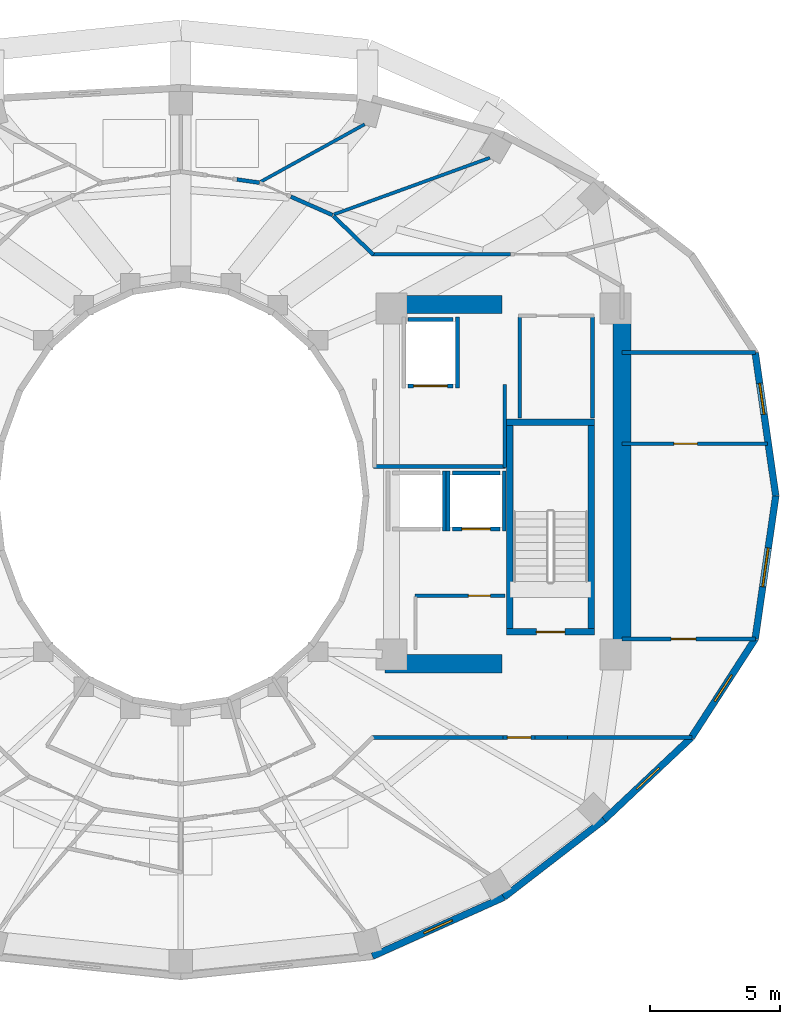
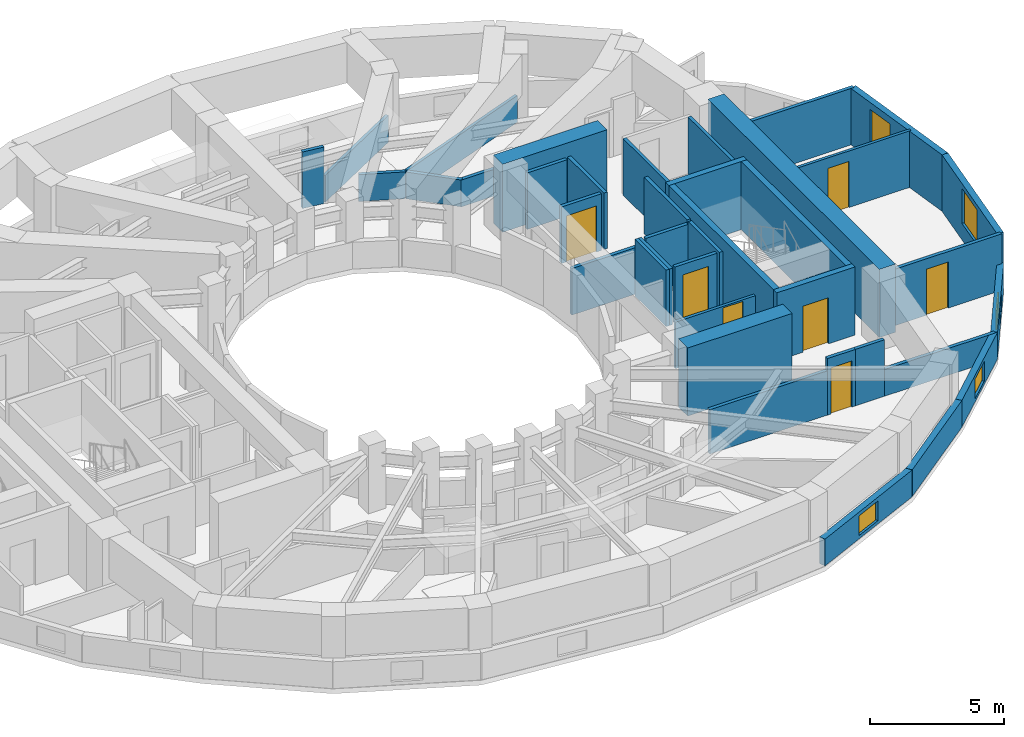
# One storey, part 6 of 9: 39 walls, 7 doors, 5 windows, 12 openings.
"""IFC4 building model written with IfcOpenShell, lengths in metres."""

from ifc_helpers import new_model, si_unit, direction, frame, frame_2d, origin, place, context, subcontext, project, spatial, rectangle, extrude, material, layer, layer_set, type_object, element, fill, save


model = new_model("IFC4")

# Units and contexts
model_context = context("Model", 3, precision=1e-05, world=origin(), true_north=direction((0.0, 1.0)))
body_context = subcontext(model_context, "Body", "Model", "MODEL_VIEW")
ifc_project = project(units=[si_unit("LENGTHUNIT", "METRE"), si_unit("AREAUNIT", "SQUARE_METRE"), si_unit("VOLUMEUNIT", "CUBIC_METRE"), si_unit("PLANEANGLEUNIT", "RADIAN"), si_unit("MASSUNIT", "GRAM", prefix="KILO")], contexts=[model_context])

# Site, building, storey
site_placement = place(None, origin())
site = spatial("IfcSite", under=ifc_project, at=site_placement, CompositionType="ELEMENT")
building_placement = place(site_placement, origin())
building = spatial("IfcBuilding", under=site, at=building_placement, Name="Solvane Sanctuary Tower", CompositionType="ELEMENT")
storey_placement = place(building_placement, frame((0.0, 0.0, 140.5)))
storey = spatial("IfcBuildingStorey", under=building, at=storey_placement, Name="L42", CompositionType="ELEMENT", Elevation=140.5)

# Walls
ifc_material_1 = material(Name="Concrete C60/75", Category="concrete")
ifc_layer_1 = layer(ifc_material_1, 0.699951171875, Name="Concrete C60/75")
ifc_layer_set_1 = layer_set([ifc_layer_1], Name="Concrete C60/75")
wall_type_1 = type_object("IfcWallType", Name="Wall W-CORE-700", PredefinedType="SHEAR", material=ifc_layer_set_1)
wall_1_placement = place(storey_placement, frame((48.949951171875, 17.050048828125, 0.0), z_axis=(0.0, 0.0, 1.0), x_axis=(0.0, 1.0, 0.0)))
element("IfcWall", 1, at=wall_1_placement, inside=storey, type_object=wall_type_1, Name="L42 Core Shear Wall EC-E", PredefinedType="SHEAR", context=body_context, shape_type="SweptSolid", body=[
    extrude(rectangle(XDim=12.800048828125, YDim=0.699951171875, at=frame_2d((6.39990234375, 0.0))), origin(), (0.0, 0.0, 1.0), 3.10009765625),
])
for number, where, z_axis, x_axis, name in (
    (2, (39.85009765625, 16.550048828125, 0.0), (0.0, 0.0, 1.0), (1.0, 0.0, 0.0), "L42 Core Shear Wall EC-S"),
    (3, (39.85009765625, 30.35009765625, 0.0), (0.0, 0.0, 1.0), (1.0, 0.0, 0.0), "L42 Core Shear Wall EC-N"),
):
    element("IfcWall", number, at=place(storey_placement, frame(where, z_axis=z_axis, x_axis=x_axis)), inside=storey, type_object=wall_type_1, Name=name, PredefinedType="SHEAR", context=body_context, shape_type="SweptSolid", body=[
        extrude(rectangle(XDim=4.5, YDim=0.699951171875, at=frame_2d((2.25, 0.0))), origin(), (0.0, 0.0, 1.0), 3.10009765625),
    ])
ifc_material_2 = material(Name="Acoustic Gypsum Partition Board")
ifc_layer_2 = layer(ifc_material_2, 0.14990234375, Name="Acoustic Gypsum Partition Board")
ifc_layer_set_2 = layer_set([ifc_layer_2], Name="Acoustic Gypsum Partition Board")
wall_type_2 = type_object("IfcWallType", Name="Wall W-CORR-150", PredefinedType="PARTITIONING", material=ifc_layer_set_2)
wall_2_placement = place(storey_placement, frame((39.39990234375, 24.1201171875, 0.0), z_axis=(0.0, 0.0, 1.0), x_axis=(1.0, 0.0, 0.0)))
element("IfcWall", 4, at=wall_2_placement, inside=storey, type_object=wall_type_2, Name="L42 East Firefighting Lobby South Wall", PredefinedType="PARTITIONING", context=body_context, shape_type="SweptSolid", body=[
    extrude(rectangle(XDim=5.080078125, YDim=0.14990234375, at=frame_2d((2.5400390625, 0.0))), origin(), (0.0, 0.0, 1.0), 2.1201171875),
])
wall_3_placement = place(storey_placement, frame((44.449951171875, 24.080078125, 0.0), z_axis=(0.0, 0.0, 1.0), x_axis=(0.0, 1.0, 0.0)))
element("IfcWall", 5, at=wall_3_placement, inside=storey, type_object=wall_type_2, Name="L42 East Firefighting Lobby East Wall", PredefinedType="PARTITIONING", context=body_context, shape_type="SweptSolid", body=[
    extrude(rectangle(XDim=3.199951171875, YDim=0.14990234375, at=frame_2d((1.60009765625, 0.0))), origin(), (0.0, 0.0, 1.0), 2.574951171875),
])

# Wall, opening, door
wall_4_placement = place(storey_placement, frame((48.949951171875, 17.4970703125, 0.0), z_axis=(0.0, 0.0, 1.0), x_axis=(1.0, 0.0, 0.0)))
wall_4 = element("IfcWall", 6, at=wall_4_placement, inside=storey, type_object=wall_type_2, Name="L42 East Shoulder South Wall", PredefinedType="PARTITIONING", context=body_context, shape_type="SweptSolid", body=[
    extrude(rectangle(XDim=5.14013671875, YDim=0.14990234375, at=frame_2d((2.570068359375, 0.0))), origin(), (0.0, 0.0, 1.0), 2.574951171875),
])
opening_1_placement = place(wall_4_placement, frame((1.888671875, 0.0, 0.0)))
opening_1 = element("IfcOpeningElement", 7, at=opening_1_placement, cuts=wall_4, Name="Opening D-L42-10", PredefinedType="OPENING", context=body_context, shape_type="SweptSolid", body=[
    extrude(rectangle(XDim=0.949951171875, YDim=2.10009765625, at=frame_2d((0.47509765625, 1.050048828125))), frame((0.0, 0.0849609375, 0.0), z_axis=(0.0, -1.0, 0.0), x_axis=(1.0, 0.0, 0.0)), (0.0, 0.0, 1.0), 0.169921875),
])
ifc_material_3 = material(Name="Engineered Tropical Hardwood", Category="wood")
door_type_1 = type_object("IfcDoorType", Name="Door D-ROOM-950", OperationType="NOTDEFINED", PredefinedType="DOOR", material=ifc_material_3)
door_1_placement = place(opening_1_placement, origin())
door_1 = element("IfcDoor", 8, at=door_1_placement, inside=storey, type_object=door_type_1, Name="L42 East Shoulder South Door", OperationType="SINGLE_SWING_RIGHT", OverallHeight=2.10009765625, OverallWidth=0.949951171875, PredefinedType="DOOR", context=body_context, shape_type="SweptSolid", body=[
    extrude(rectangle(XDim=0.949951171875, YDim=2.10009765625, at=frame_2d((0.47509765625, 1.050048828125))), frame((0.0, 0.02490234375, 0.0), z_axis=(0.0, -1.0, 0.0), x_axis=(1.0, 0.0, 0.0)), (0.0, 0.0, 1.0), 0.050048828125),
])
fill(opening_1, door_1)

# Walls
wall_5_placement = place(storey_placement, frame((48.949951171875, 28.5029296875, 0.0), z_axis=(0.0, 0.0, 1.0), x_axis=(1.0, 0.0, 0.0)))
element("IfcWall", 9, at=wall_5_placement, inside=storey, type_object=wall_type_2, Name="L42 East Shoulder North Wall", PredefinedType="PARTITIONING", context=body_context, shape_type="SweptSolid", body=[
    extrude(rectangle(XDim=5.14013671875, YDim=0.14990234375, at=frame_2d((2.570068359375, 0.0))), origin(), (0.0, 0.0, 1.0), 2.574951171875),
])
wall_6_placement = place(storey_placement, frame((37.867431640625, 33.748779296875, 0.0), z_axis=(0.0, 0.0, 1.0), x_axis=(0.717419568599, -0.696641344302, 0.0)))
element("IfcWall", 10, at=wall_6_placement, inside=storey, type_object=wall_type_2, Name="L42 NE Corner Throat Wall", PredefinedType="PARTITIONING", context=body_context, shape_type="SweptSolid", body=[
    extrude(rectangle(XDim=2.138427734375, YDim=0.14990234375, at=frame_2d((1.0693359375, 0.0))), origin(), (0.0, 0.0, 1.0), 1.219970703125),
])
wall_7_placement = place(storey_placement, frame((39.330078125, 32.280029296875, 0.0), z_axis=(0.0, 0.0, 1.0), x_axis=(1.0, 0.0, 0.0)))
element("IfcWall", 11, at=wall_7_placement, inside=storey, type_object=wall_type_2, Name="L42 NE Corner Corridor Wall", PredefinedType="PARTITIONING", context=body_context, shape_type="SweptSolid", body=[
    extrude(rectangle(XDim=5.335693359375, YDim=0.14990234375, at=frame_2d((2.66796875, 0.0))), origin(), (0.0, 0.0, 1.0), 1.219970703125),
])
wall_8_placement = place(storey_placement, frame((39.330078125, 13.719970703125, 0.0), z_axis=(0.0, 0.0, 1.0), x_axis=(1.0, 0.0, 0.0)))
element("IfcWall", 12, at=wall_8_placement, inside=storey, type_object=wall_type_2, Name="L42 SE Corner Corridor Wall", PredefinedType="PARTITIONING", context=body_context, shape_type="SweptSolid", body=[
    extrude(rectangle(XDim=5.059814453125, YDim=0.14990234375, at=frame_2d((2.52978515625, 0.0))), origin(), (0.0, 0.0, 1.0), 2.01904296875),
])

# Wall, opening, door
wall_9_placement = place(storey_placement, frame((44.389892578125, 13.719970703125, 0.0), z_axis=(0.0, 0.0, 1.0), x_axis=(1.0, 0.0, 0.0)))
wall_9 = element("IfcWall", 13, at=wall_9_placement, inside=storey, type_object=wall_type_2, Name="L42 SE Corner Corridor Wall", PredefinedType="PARTITIONING", context=body_context, shape_type="SweptSolid", body=[
    extrude(rectangle(XDim=1.22021484375, YDim=0.14990234375, at=frame_2d((0.610107421875, 0.0))), origin(), (0.0, 0.0, 1.0), 2.574951171875),
])
opening_2_placement = place(wall_9_placement, frame((0.159912109375, 0.0, 0.0)))
opening_2 = element("IfcOpeningElement", 14, at=opening_2_placement, cuts=wall_9, Name="Opening D-L42-19", PredefinedType="OPENING", context=body_context, shape_type="SweptSolid", body=[
    extrude(rectangle(XDim=0.89990234375, YDim=2.10009765625, at=frame_2d((0.449951171875, 1.050048828125))), frame((0.0, 0.0849609375, 0.0), z_axis=(0.0, -1.0, 0.0), x_axis=(1.0, 0.0, 0.0)), (0.0, 0.0, 1.0), 0.169921875),
])
door_type_2 = type_object("IfcDoorType", Name="Door D-WET-900", OperationType="NOTDEFINED", PredefinedType="DOOR", material=ifc_material_3)
door_2_placement = place(opening_2_placement, origin())
door_2 = element("IfcDoor", 15, at=door_2_placement, inside=storey, type_object=door_type_2, Name="L42 SE Corner Salon Door", OperationType="SINGLE_SWING_LEFT", OverallHeight=2.10009765625, OverallWidth=0.89990234375, PredefinedType="DOOR", context=body_context, shape_type="SweptSolid", body=[
    extrude(rectangle(XDim=0.89990234375, YDim=2.10009765625, at=frame_2d((0.449951171875, 1.050048828125))), frame((0.0, 0.02490234375, 0.0), z_axis=(0.0, -1.0, 0.0), x_axis=(1.0, 0.0, 0.0)), (0.0, 0.0, 1.0), 0.050048828125),
])
fill(opening_2, door_2)

# Walls
wall_10_placement = place(storey_placement, frame((45.610107421875, 13.719970703125, 0.0), z_axis=(0.0, 0.0, 1.0), x_axis=(1.0, 0.0, 0.0)))
element("IfcWall", 16, at=wall_10_placement, inside=storey, type_object=wall_type_2, Name="L42 SE Corner Corridor Wall", PredefinedType="PARTITIONING", context=body_context, shape_type="SweptSolid", body=[
    extrude(rectangle(XDim=1.239990234375, YDim=0.14990234375, at=frame_2d((0.6201171875, 0.0))), origin(), (0.0, 0.0, 1.0), 2.574951171875),
])
wall_11_placement = place(storey_placement, frame((46.75, 13.72021484375, 0.0), z_axis=(0.0, 0.0, 1.0), x_axis=(0.999997122315, -0.00239903348, 0.0)))
element("IfcWall", 17, at=wall_11_placement, inside=storey, type_object=wall_type_2, Name="L42 SE Corner Wing Wall", PredefinedType="PARTITIONING", context=body_context, shape_type="SweptSolid", body=[
    extrude(rectangle(XDim=4.884765625, YDim=0.14990234375, at=frame_2d((2.4423828125, 0.0))), origin(), (0.0, 0.0, 1.0), 1.219970703125),
])
wall_12_placement = place(storey_placement, frame((37.8349609375, 33.782958984375, 0.0), z_axis=(0.0, 0.0, 1.0), x_axis=(-0.91447091359, 0.404651638077, 0.0)))
element("IfcWall", 18, at=wall_12_placement, inside=storey, type_object=wall_type_2, Name="L42 Unit Corridor Wall N1", PredefinedType="PARTITIONING", context=body_context, shape_type="SweptSolid", body=[
    extrude(rectangle(XDim=1.752685546875, YDim=0.14990234375, at=frame_2d((0.87646484375, 0.0))), origin(), (0.0, 0.0, 1.0), 1.219970703125),
])
wall_13_placement = place(storey_placement, frame((35.024658203125, 35.029296875, 0.0), z_axis=(0.0, 0.0, 1.0), x_axis=(-0.990255371296, 0.139263418091, 0.0)))
element("IfcWall", 19, at=wall_13_placement, inside=storey, type_object=wall_type_2, Name="L42 Unit Corridor Wall N2", PredefinedType="PARTITIONING", context=body_context, shape_type="SweptSolid", body=[
    extrude(rectangle(XDim=0.871337890625, YDim=0.14990234375, at=frame_2d((0.435546875, 0.0))), origin(), (0.0, 0.0, 1.0), 2.574951171875),
])

# Wall, opening, window
ifc_material_4 = material(Name="Precast concrete C40/50", Category="concrete")
ifc_layer_3 = layer(ifc_material_4, 0.260009765625, Name="Precast concrete C40/50")
ifc_layer_set_3 = layer_set([ifc_layer_3], Name="Precast concrete C40/50")
wall_type_3 = type_object("IfcWallType", Name="Wall W-EXT-250", PredefinedType="STANDARD", material=ifc_layer_set_3)
wall_14_placement = place(storey_placement, frame((54.860107421875, 23.0, 0.0), z_axis=(0.0, 0.0, 1.0), x_axis=(-0.142227632286, 0.989833976288, 0.0)))
wall_14 = element("IfcWall", 20, at=wall_14_placement, inside=storey, type_object=wall_type_3, Name="L42 Ceramic-Printed Facade Wall 00", PredefinedType="STANDARD", context=body_context, shape_type="SweptSolid", body=[
    extrude(rectangle(XDim=5.552978515625, YDim=0.260009765625, at=frame_2d((2.7763671875, 0.0))), origin(), (0.0, 0.0, 1.0), 2.570068359375),
])
opening_3_placement = place(wall_14_placement, frame((3.16162109375, 0.0, 0.75)))
opening_3 = element("IfcOpeningElement", 21, at=opening_3_placement, cuts=wall_14, Name="Opening WN-OPER-1200", PredefinedType="OPENING", context=body_context, shape_type="SweptSolid", body=[
    extrude(rectangle(XDim=1.199951171875, YDim=1.5, at=frame_2d((0.60009765625, 0.75))), frame((0.0, 0.139892578125, 0.0), z_axis=(0.0, -1.0, 0.0), x_axis=(1.0, 0.0, 0.0)), (0.0, 0.0, 1.0), 0.280029296875),
])
ifc_material_5 = material(Name="Dark Ceramic-Fritted Low-E Glass", Category="glass")
window_type_1 = type_object("IfcWindowType", Name="Window WN-OPER-1200", PartitioningType="SINGLE_PANEL", PredefinedType="WINDOW", material=ifc_material_5)
window_1_placement = place(opening_3_placement, origin())
window_1 = element("IfcWindow", 22, at=window_1_placement, inside=storey, type_object=window_type_1, Name="L42 Operable Facade Window 00", OverallHeight=1.5, OverallWidth=1.199951171875, PartitioningType="SINGLE_PANEL", PredefinedType="WINDOW", context=body_context, shape_type="SweptSolid", body=[
    extrude(rectangle(XDim=1.199951171875, YDim=1.5, at=frame_2d((0.60009765625, 0.75))), frame((0.0, 0.030029296875, 0.0), z_axis=(0.0, -1.0, 0.0), x_axis=(1.0, 0.0, 0.0)), (0.0, 0.0, 1.0), 0.06005859375),
])
fill(opening_3, window_1)

wall_15_placement = place(storey_placement, frame((39.365234375, 5.3154296875, 0.0), z_axis=(0.0, 0.0, 1.0), x_axis=(0.912353637112, 0.409403029847, 0.0)))
wall_15 = element("IfcWall", 23, at=wall_15_placement, inside=storey, type_object=wall_type_3, Name="L42 Ceramic-Printed Facade Wall 19", PredefinedType="STANDARD", context=body_context, shape_type="SweptSolid", body=[
    extrude(rectangle(XDim=5.53271484375, YDim=0.260009765625, at=frame_2d((2.766357421875, 0.0))), origin(), (0.0, 0.0, 1.0), 1.219970703125),
])
opening_4_placement = place(wall_15_placement, frame((2.16650390625, 0.0, 0.14990234375)))
opening_4 = element("IfcOpeningElement", 24, at=opening_4_placement, cuts=wall_15, Name="Opening WN-OPER-1200", PredefinedType="OPENING", context=body_context, shape_type="SweptSolid", body=[
    extrude(rectangle(XDim=1.199951171875, YDim=0.89990234375, at=frame_2d((0.60009765625, 0.449951171875))), frame((0.0, 0.139892578125, 0.0), z_axis=(0.0, -1.0, 0.0), x_axis=(1.0, 0.0, 0.0)), (0.0, 0.0, 1.0), 0.280029296875),
])
window_2_placement = place(opening_4_placement, origin())
window_2 = element("IfcWindow", 25, at=window_2_placement, inside=storey, type_object=window_type_1, Name="L42 Operable Facade Window 19", OverallHeight=0.89990234375, OverallWidth=1.199951171875, PartitioningType="SINGLE_PANEL", PredefinedType="WINDOW", context=body_context, shape_type="SweptSolid", body=[
    extrude(rectangle(XDim=1.199951171875, YDim=0.89990234375, at=frame_2d((0.60009765625, 0.449951171875))), frame((0.0, 0.030029296875, 0.0), z_axis=(0.0, -1.0, 0.0), x_axis=(1.0, 0.0, 0.0)), (0.0, 0.0, 1.0), 0.06005859375),
])
fill(opening_4, window_2)

# Wall
wall_16_placement = place(storey_placement, frame((44.4130859375, 7.58056640625, 0.0), z_axis=(0.0, 0.0, 1.0), x_axis=(0.791460185804, 0.611220724687, 0.0)))
element("IfcWall", 26, at=wall_16_placement, inside=storey, type_object=wall_type_3, Name="L42 Ceramic-Printed Facade Wall 20", PredefinedType="STANDARD", context=body_context, shape_type="SweptSolid", body=[
    extrude(rectangle(XDim=4.872314453125, YDim=0.260009765625, at=frame_2d((2.43603515625, 0.0))), origin(), (0.0, 0.0, 1.0), 1.219970703125),
])

# Wall, opening, window
wall_17_placement = place(storey_placement, frame((48.269287109375, 10.55859375, 0.0), z_axis=(0.0, 0.0, 1.0), x_axis=(0.727667301037, 0.68593024354, 0.0)))
wall_17 = element("IfcWall", 27, at=wall_17_placement, inside=storey, type_object=wall_type_3, Name="L42 Ceramic-Printed Facade Wall 21", PredefinedType="STANDARD", context=body_context, shape_type="SweptSolid", body=[
    extrude(rectangle(XDim=4.603515625, YDim=0.260009765625, at=frame_2d((2.3017578125, 0.0))), origin(), (0.0, 0.0, 1.0), 1.219970703125),
])
opening_5_placement = place(wall_17_placement, frame((1.70166015625, 0.0, 0.14990234375)))
opening_5 = element("IfcOpeningElement", 28, at=opening_5_placement, cuts=wall_17, Name="Opening WN-OPER-1200", PredefinedType="OPENING", context=body_context, shape_type="SweptSolid", body=[
    extrude(rectangle(XDim=1.199951171875, YDim=0.89990234375, at=frame_2d((0.60009765625, 0.449951171875))), frame((0.0, 0.139892578125, 0.0), z_axis=(0.0, -1.0, 0.0), x_axis=(1.0, 0.0, 0.0)), (0.0, 0.0, 1.0), 0.280029296875),
])
window_3_placement = place(opening_5_placement, origin())
window_3 = element("IfcWindow", 29, at=window_3_placement, inside=storey, type_object=window_type_1, Name="L42 Operable Facade Window 21", OverallHeight=0.89990234375, OverallWidth=1.199951171875, PartitioningType="SINGLE_PANEL", PredefinedType="WINDOW", context=body_context, shape_type="SweptSolid", body=[
    extrude(rectangle(XDim=1.199951171875, YDim=0.89990234375, at=frame_2d((0.60009765625, 0.449951171875))), frame((0.0, 0.030029296875, 0.0), z_axis=(0.0, -1.0, 0.0), x_axis=(1.0, 0.0, 0.0)), (0.0, 0.0, 1.0), 0.06005859375),
])
fill(opening_5, window_3)

wall_18_placement = place(storey_placement, frame((51.619140625, 13.71630859375, 0.0), z_axis=(0.0, 0.0, 1.0), x_axis=(0.543358984534, 0.839500454989, 0.0)))
wall_18 = element("IfcWall", 30, at=wall_18_placement, inside=storey, type_object=wall_type_3, Name="L42 Ceramic-Printed Facade Wall 22", PredefinedType="STANDARD", context=body_context, shape_type="SweptSolid", body=[
    extrude(rectangle(XDim=4.51123046875, YDim=0.260009765625, at=frame_2d((2.255615234375, 0.0))), origin(), (0.0, 0.0, 1.0), 1.219970703125),
])
opening_6_placement = place(wall_18_placement, frame((1.655517578125, 0.0, 0.14990234375)))
opening_6 = element("IfcOpeningElement", 31, at=opening_6_placement, cuts=wall_18, Name="Opening WN-OPER-1200", PredefinedType="OPENING", context=body_context, shape_type="SweptSolid", body=[
    extrude(rectangle(XDim=1.199951171875, YDim=0.89990234375, at=frame_2d((0.60009765625, 0.449951171875))), frame((0.0, 0.139892578125, 0.0), z_axis=(0.0, -1.0, 0.0), x_axis=(1.0, 0.0, 0.0)), (0.0, 0.0, 1.0), 0.280029296875),
])
window_4_placement = place(opening_6_placement, origin())
window_4 = element("IfcWindow", 32, at=window_4_placement, inside=storey, type_object=window_type_1, Name="L42 Operable Facade Window 22", OverallHeight=0.89990234375, OverallWidth=1.199951171875, PartitioningType="SINGLE_PANEL", PredefinedType="WINDOW", context=body_context, shape_type="SweptSolid", body=[
    extrude(rectangle(XDim=1.199951171875, YDim=0.89990234375, at=frame_2d((0.60009765625, 0.449951171875))), frame((0.0, 0.030029296875, 0.0), z_axis=(0.0, -1.0, 0.0), x_axis=(1.0, 0.0, 0.0)), (0.0, 0.0, 1.0), 0.06005859375),
])
fill(opening_6, window_4)

wall_19_placement = place(storey_placement, frame((54.0703125, 17.50341796875, 0.0), z_axis=(0.0, 0.0, 1.0), x_axis=(0.142227632286, 0.989833976288, 0.0)))
wall_19 = element("IfcWall", 33, at=wall_19_placement, inside=storey, type_object=wall_type_3, Name="L42 Ceramic-Printed Facade Wall 23", PredefinedType="STANDARD", context=body_context, shape_type="SweptSolid", body=[
    extrude(rectangle(XDim=5.552978515625, YDim=0.260009765625, at=frame_2d((2.7763671875, 0.0))), origin(), (0.0, 0.0, 1.0), 2.570068359375),
])
opening_7_placement = place(wall_19_placement, frame((2.026611328125, 0.0, 0.75)))
opening_7 = element("IfcOpeningElement", 34, at=opening_7_placement, cuts=wall_19, Name="Opening WN-OPER-1500", PredefinedType="OPENING", context=body_context, shape_type="SweptSolid", body=[
    extrude(rectangle(XDim=1.5, YDim=1.60009765625, at=frame_2d((0.75, 0.800048828125))), frame((0.0, 0.139892578125, 0.0), z_axis=(0.0, -1.0, 0.0), x_axis=(1.0, 0.0, 0.0)), (0.0, 0.0, 1.0), 0.280029296875),
])
window_type_2 = type_object("IfcWindowType", Name="Window WN-OPER-1500", PartitioningType="SINGLE_PANEL", PredefinedType="WINDOW", material=ifc_material_5)
window_5_placement = place(opening_7_placement, origin())
window_5 = element("IfcWindow", 35, at=window_5_placement, inside=storey, type_object=window_type_2, Name="L42 Operable Facade Window 23", OverallHeight=1.60009765625, OverallWidth=1.5, PartitioningType="SINGLE_PANEL", PredefinedType="WINDOW", context=body_context, shape_type="SweptSolid", body=[
    extrude(rectangle(XDim=1.5, YDim=1.60009765625, at=frame_2d((0.75, 0.800048828125))), frame((0.0, 0.030029296875, 0.0), z_axis=(0.0, -1.0, 0.0), x_axis=(1.0, 0.0, 0.0)), (0.0, 0.0, 1.0), 0.06005859375),
])
fill(opening_7, window_5)

# Wall, opening, door
ifc_layer_4 = layer(ifc_material_2, 0.1201171875, Name="Acoustic Gypsum Partition Board")
ifc_layer_set_4 = layer_set([ifc_layer_4], Name="Acoustic Gypsum Partition Board")
wall_type_4 = type_object("IfcWallType", Name="Wall W-MOV-100", PredefinedType="MOVABLE", material=ifc_layer_set_4)
wall_20_placement = place(storey_placement, frame((48.949951171875, 25.0, 0.0), z_axis=(0.0, 0.0, 1.0), x_axis=(1.0, 0.0, 0.0)))
wall_20 = element("IfcWall", 36, at=wall_20_placement, inside=storey, type_object=wall_type_4, Name="L42 East Suite Partition", PredefinedType="MOVABLE", context=body_context, shape_type="SweptSolid", body=[
    extrude(rectangle(XDim=5.5830078125, YDim=0.1201171875, at=frame_2d((2.79150390625, 0.0))), origin(), (0.0, 0.0, 1.0), 2.574951171875),
])
opening_8_placement = place(wall_20_placement, frame((2.0, 0.0, 0.0)))
opening_8 = element("IfcOpeningElement", 37, at=opening_8_placement, cuts=wall_20, Name="Opening D-L42-11", PredefinedType="OPENING", context=body_context, shape_type="SweptSolid", body=[
    extrude(rectangle(XDim=0.89990234375, YDim=2.10009765625, at=frame_2d((0.449951171875, 1.050048828125))), frame((0.0, 0.070068359375, 0.0), z_axis=(0.0, -1.0, 0.0), x_axis=(1.0, 0.0, 0.0)), (0.0, 0.0, 1.0), 0.14013671875),
])
door_3_placement = place(opening_8_placement, origin())
door_3 = element("IfcDoor", 38, at=door_3_placement, inside=storey, type_object=door_type_2, Name="L42 East Suite Internal Door", OperationType="SINGLE_SWING_LEFT", OverallHeight=2.10009765625, OverallWidth=0.89990234375, PredefinedType="DOOR", context=body_context, shape_type="SweptSolid", body=[
    extrude(rectangle(XDim=0.89990234375, YDim=2.10009765625, at=frame_2d((0.449951171875, 1.050048828125))), frame((0.0, 0.02490234375, 0.0), z_axis=(0.0, -1.0, 0.0), x_axis=(1.0, 0.0, 0.0)), (0.0, 0.0, 1.0), 0.050048828125),
])
fill(opening_8, door_3)

ifc_layer_5 = layer(ifc_material_2, 0.125, Name="Acoustic Gypsum Partition Board")
ifc_layer_set_5 = layer_set([ifc_layer_5], Name="Acoustic Gypsum Partition Board")
wall_type_5 = type_object("IfcWallType", Name="Wall W-PART-125", PredefinedType="PARTITIONING", material=ifc_layer_set_5)
wall_21_placement = place(storey_placement, frame((41.0, 19.159912109375, 0.0), z_axis=(0.0, 0.0, 1.0), x_axis=(1.0, 0.0, 0.0)))
wall_21 = element("IfcWall", 39, at=wall_21_placement, inside=storey, type_object=wall_type_5, Name="L42 Reclaimed Room Partition PLE", PredefinedType="PARTITIONING", context=body_context, shape_type="SweptSolid", body=[
    extrude(rectangle(XDim=3.449951171875, YDim=0.125, at=frame_2d((1.72509765625, 0.0))), origin(), (0.0, 0.0, 1.0), 2.1201171875),
])
opening_9_placement = place(wall_21_placement, frame((2.050048828125, 0.0, 0.0)))
opening_9 = element("IfcOpeningElement", 40, at=opening_9_placement, cuts=wall_21, Name="Opening D-L42-07", PredefinedType="OPENING", context=body_context, shape_type="SweptSolid", body=[
    extrude(rectangle(XDim=0.85009765625, YDim=2.050048828125, at=frame_2d((0.425048828125, 1.02490234375))), frame((0.0, 0.072509765625, 0.0), z_axis=(0.0, -1.0, 0.0), x_axis=(1.0, 0.0, 0.0)), (0.0, 0.0, 1.0), 0.14501953125),
])
ifc_material_6 = material(Name="Architectural Stainless Steel 316", Category="steel")
door_type_3 = type_object("IfcDoorType", Name="Door D-RISER", OperationType="NOTDEFINED", PredefinedType="DOOR", material=ifc_material_6)
door_4_placement = place(opening_9_placement, origin())
door_4 = element("IfcDoor", 41, at=door_4_placement, inside=storey, type_object=door_type_3, Name="L42 Reclaimed Room Door PLE-1", OperationType="SINGLE_SWING_LEFT", OverallHeight=2.050048828125, OverallWidth=0.85009765625, PredefinedType="DOOR", context=body_context, shape_type="SweptSolid", body=[
    extrude(rectangle(XDim=0.85009765625, YDim=2.050048828125, at=frame_2d((0.425048828125, 1.02490234375))), frame((0.0, 0.02490234375, 0.0), z_axis=(0.0, -1.0, 0.0), x_axis=(1.0, 0.0, 0.0)), (0.0, 0.0, 1.0), 0.050048828125),
])
fill(opening_9, door_4)

# Walls
wall_22_placement = place(storey_placement, frame((37.879638671875, 33.805908203125, 0.0), z_axis=(0.0, 0.0, 1.0), x_axis=(0.939901628116, 0.341445353557, 0.0)))
element("IfcWall", 42, at=wall_22_placement, inside=storey, type_object=wall_type_5, Name="L42 Radial Compartment Wall 060", PredefinedType="PARTITIONING", context=body_context, shape_type="SweptSolid", body=[
    extrude(rectangle(XDim=6.38720703125, YDim=0.125, at=frame_2d((3.193603515625, 0.0))), origin(), (0.0, 0.0, 1.0), 1.219970703125),
])
wall_23_placement = place(storey_placement, frame((35.06494140625, 35.05810546875, 0.0), z_axis=(0.0, 0.0, 1.0), x_axis=(0.875077338582, 0.48398311076, 0.0)))
element("IfcWall", 43, at=wall_23_placement, inside=storey, type_object=wall_type_5, Name="L42 Radial Compartment Wall 075", PredefinedType="PARTITIONING", context=body_context, shape_type="SweptSolid", body=[
    extrude(rectangle(XDim=4.5732421875, YDim=0.125, at=frame_2d((2.28662109375, 0.0))), origin(), (0.0, 0.0, 1.0), 1.219970703125),
])

# Wall, opening, door
ifc_material_7 = material(Name="Concrete C50/60", Category="concrete")
ifc_layer_6 = layer(ifc_material_7, 0.14990234375, Name="Concrete C50/60")
ifc_layer_set_6 = layer_set([ifc_layer_6], Name="Concrete C50/60")
wall_type_6 = type_object("IfcWallType", Name="Wall W-SHAFT-150", PredefinedType="SOLIDWALL", material=ifc_layer_set_6)
wall_24_placement = place(storey_placement, frame((42.43994140625, 21.719970703125, 0.0), z_axis=(0.0, 0.0, 1.0), x_axis=(1.0, 0.0, 0.0)))
wall_24 = element("IfcWall", 44, at=wall_24_placement, inside=storey, type_object=wall_type_6, Name="L42 PM-2 Lift Shaft Wall F", PredefinedType="SOLIDWALL", context=body_context, shape_type="SweptSolid", body=[
    extrude(rectangle(XDim=1.820068359375, YDim=0.14990234375, at=frame_2d((0.91015625, 0.0))), origin(), (0.0, 0.0, 1.0), 2.574951171875),
])
opening_10_placement = place(wall_24_placement, frame((0.360107421875, 0.0, 0.0)))
opening_10 = element("IfcOpeningElement", 45, at=opening_10_placement, cuts=wall_24, Name="Opening LD-L42-02", PredefinedType="OPENING", context=body_context, shape_type="SweptSolid", body=[
    extrude(rectangle(XDim=1.10009765625, YDim=2.10009765625, at=frame_2d((0.550048828125, 1.050048828125))), frame((0.0, 0.0849609375, 0.0), z_axis=(0.0, -1.0, 0.0), x_axis=(1.0, 0.0, 0.0)), (0.0, 0.0, 1.0), 0.169921875),
])
door_type_4 = type_object("IfcDoorType", Name="Door LD-PASS-1100", OperationType="NOTDEFINED", PredefinedType="DOOR", material=ifc_material_6)
door_5_placement = place(opening_10_placement, origin())
door_5 = element("IfcDoor", 46, at=door_5_placement, inside=storey, type_object=door_type_4, Name="L42 PM-2 Lift Landing Door", OperationType="DOUBLE_DOOR_SLIDING", OverallHeight=2.10009765625, OverallWidth=1.10009765625, PredefinedType="DOOR", context=body_context, shape_type="SweptSolid", body=[
    extrude(rectangle(XDim=1.10009765625, YDim=2.10009765625, at=frame_2d((0.550048828125, 1.050048828125))), frame((0.0, 0.02490234375, 0.0), z_axis=(0.0, -1.0, 0.0), x_axis=(1.0, 0.0, 0.0)), (0.0, 0.0, 1.0), 0.050048828125),
])
fill(opening_10, door_5)

# Walls
wall_25_placement = place(storey_placement, frame((42.43994140625, 23.8798828125, 0.0), z_axis=(0.0, 0.0, 1.0), x_axis=(1.0, 0.0, 0.0)))
element("IfcWall", 47, at=wall_25_placement, inside=storey, type_object=wall_type_6, Name="L42 PM-2 Lift Shaft Wall B", PredefinedType="SOLIDWALL", context=body_context, shape_type="SweptSolid", body=[
    extrude(rectangle(XDim=1.820068359375, YDim=0.14990234375, at=frame_2d((0.91015625, 0.0))), origin(), (0.0, 0.0, 1.0), 2.574951171875),
])
for number, where, z_axis, x_axis, name in (
    (48, (42.27001953125, 21.639892578125, 0.0), (0.0, 0.0, 1.0), (0.0, 1.0, 0.0), "L42 PM-2 Lift Shaft Wall S1"),
    (49, (44.429931640625, 21.639892578125, 0.0), (0.0, 0.0, 1.0), (0.0, 1.0, 0.0), "L42 PM-2 Lift Shaft Wall S2"),
    (50, (42.1298828125, 21.639892578125, 0.0), (0.0, 0.0, 1.0), (0.0, 1.0, 0.0), "L42 PH-2 Lift Shaft Wall S2"),
):
    element("IfcWall", number, at=place(storey_placement, frame(where, z_axis=z_axis, x_axis=x_axis)), inside=storey, type_object=wall_type_6, Name=name, PredefinedType="SOLIDWALL", context=body_context, shape_type="SweptSolid", body=[
        extrude(rectangle(XDim=2.320068359375, YDim=0.14990234375, at=frame_2d((1.16015625, 0.0))), origin(), (0.0, 0.0, 1.0), 2.574951171875),
    ])

# Wall, opening, door
wall_26_placement = place(storey_placement, frame((40.739990234375, 27.219970703125, 0.0), z_axis=(0.0, 0.0, 1.0), x_axis=(1.0, 0.0, 0.0)))
wall_26 = element("IfcWall", 51, at=wall_26_placement, inside=storey, type_object=wall_type_6, Name="L42 FFL-2 Lift Shaft Wall F", PredefinedType="SOLIDWALL", context=body_context, shape_type="SweptSolid", body=[
    extrude(rectangle(XDim=1.719970703125, YDim=0.14990234375, at=frame_2d((0.85986328125, 0.0))), origin(), (0.0, 0.0, 1.0), 2.574951171875),
])
opening_11_placement = place(wall_26_placement, frame((0.2099609375, 0.0, 0.0)))
opening_11 = element("IfcOpeningElement", 52, at=opening_11_placement, cuts=wall_26, Name="Opening LD-L42-05", PredefinedType="OPENING", context=body_context, shape_type="SweptSolid", body=[
    extrude(rectangle(XDim=1.300048828125, YDim=2.10009765625, at=frame_2d((0.64990234375, 1.050048828125))), frame((0.0, 0.0849609375, 0.0), z_axis=(0.0, -1.0, 0.0), x_axis=(1.0, 0.0, 0.0)), (0.0, 0.0, 1.0), 0.169921875),
])
door_type_5 = type_object("IfcDoorType", Name="Door LD-FFL-1300", OperationType="NOTDEFINED", PredefinedType="DOOR", material=ifc_material_6)
door_6_placement = place(opening_11_placement, origin())
door_6 = element("IfcDoor", 53, at=door_6_placement, inside=storey, type_object=door_type_5, Name="L42 FFL-2 Lift Landing Door", OperationType="DOUBLE_DOOR_SLIDING", OverallHeight=2.10009765625, OverallWidth=1.300048828125, PredefinedType="DOOR", context=body_context, shape_type="SweptSolid", body=[
    extrude(rectangle(XDim=1.300048828125, YDim=2.10009765625, at=frame_2d((0.64990234375, 1.050048828125))), frame((0.0, 0.02490234375, 0.0), z_axis=(0.0, -1.0, 0.0), x_axis=(1.0, 0.0, 0.0)), (0.0, 0.0, 1.0), 0.050048828125),
])
fill(opening_11, door_6)

# Walls
wall_27_placement = place(storey_placement, frame((40.739990234375, 29.780029296875, 0.0), z_axis=(0.0, 0.0, 1.0), x_axis=(1.0, 0.0, 0.0)))
element("IfcWall", 54, at=wall_27_placement, inside=storey, type_object=wall_type_6, Name="L42 FFL-2 Lift Shaft Wall B", PredefinedType="SOLIDWALL", context=body_context, shape_type="SweptSolid", body=[
    extrude(rectangle(XDim=1.719970703125, YDim=0.14990234375, at=frame_2d((0.85986328125, 0.0))), origin(), (0.0, 0.0, 1.0), 2.574951171875),
])
wall_28_placement = place(storey_placement, frame((42.6298828125, 27.139892578125, 0.0), z_axis=(0.0, 0.0, 1.0), x_axis=(0.0, 1.0, 0.0)))
element("IfcWall", 55, at=wall_28_placement, inside=storey, type_object=wall_type_6, Name="L42 FFL-2 Lift Shaft Wall S2", PredefinedType="SOLIDWALL", context=body_context, shape_type="SweptSolid", body=[
    extrude(rectangle(XDim=2.72021484375, YDim=0.14990234375, at=frame_2d((1.360107421875, 0.0))), origin(), (0.0, 0.0, 1.0), 2.574951171875),
])

# Wall, opening, door
ifc_layer_7 = layer(ifc_material_7, 0.25, Name="Concrete C50/60")
ifc_layer_set_7 = layer_set([ifc_layer_7], Name="Concrete C50/60")
wall_type_7 = type_object("IfcWallType", Name="Wall W-SHAFT-250", PredefinedType="SOLIDWALL", material=ifc_layer_set_7)
wall_29_placement = place(storey_placement, frame((44.52490234375, 17.77001953125, 0.0), z_axis=(0.0, 0.0, 1.0), x_axis=(1.0, 0.0, 0.0)))
wall_29 = element("IfcWall", 56, at=wall_29_placement, inside=storey, type_object=wall_type_7, Name="L42 ST-2 Load-Bearing Shaft Wall S", PredefinedType="SOLIDWALL", context=body_context, shape_type="SweptSolid", body=[
    extrude(rectangle(XDim=3.3701171875, YDim=0.25, at=frame_2d((1.68505859375, 0.0))), origin(), (0.0, 0.0, 1.0), 3.10009765625),
])
opening_12_placement = place(wall_29_placement, frame((1.135009765625, 0.0, 0.0)))
opening_12 = element("IfcOpeningElement", 57, at=opening_12_placement, cuts=wall_29, Name="Opening D-L42-02", PredefinedType="OPENING", context=body_context, shape_type="SweptSolid", body=[
    extrude(rectangle(XDim=1.10009765625, YDim=2.10009765625, at=frame_2d((0.550048828125, 1.050048828125))), frame((0.0, 0.135009765625, 0.0), z_axis=(0.0, -1.0, 0.0), x_axis=(1.0, 0.0, 0.0)), (0.0, 0.0, 1.0), 0.27001953125),
])
door_type_6 = type_object("IfcDoorType", Name="Door D-STAIR", OperationType="NOTDEFINED", PredefinedType="DOOR", material=ifc_material_6)
door_7_placement = place(opening_12_placement, origin())
door_7 = element("IfcDoor", 58, at=door_7_placement, inside=storey, type_object=door_type_6, Name="L42 ST-2 Exit Stair Fire Door", OperationType="SINGLE_SWING_LEFT", OverallHeight=2.10009765625, OverallWidth=1.10009765625, PredefinedType="DOOR", context=body_context, shape_type="SweptSolid", body=[
    extrude(rectangle(XDim=1.10009765625, YDim=2.10009765625, at=frame_2d((0.550048828125, 1.050048828125))), frame((0.0, 0.02490234375, 0.0), z_axis=(0.0, -1.0, 0.0), x_axis=(1.0, 0.0, 0.0)), (0.0, 0.0, 1.0), 0.050048828125),
])
fill(opening_12, door_7)

# Walls
wall_30_placement = place(storey_placement, frame((44.52490234375, 25.830078125, 0.0), z_axis=(0.0, 0.0, 1.0), x_axis=(1.0, 0.0, 0.0)))
element("IfcWall", 59, at=wall_30_placement, inside=storey, type_object=wall_type_7, Name="L42 ST-2 Load-Bearing Shaft Wall N", PredefinedType="SOLIDWALL", context=body_context, shape_type="SweptSolid", body=[
    extrude(rectangle(XDim=3.3701171875, YDim=0.25, at=frame_2d((1.68505859375, 0.0))), origin(), (0.0, 0.0, 1.0), 3.10009765625),
])
for number, where, z_axis, x_axis, name in (
    (60, (44.64990234375, 17.89501953125, 0.0), (0.0, 0.0, 1.0), (0.0, 1.0, 0.0), "L42 ST-2 Load-Bearing Shaft Wall W"),
    (61, (47.77001953125, 17.89501953125, 0.0), (0.0, 0.0, 1.0), (0.0, 1.0, 0.0), "L42 ST-2 Load-Bearing Shaft Wall E"),
):
    element("IfcWall", number, at=place(storey_placement, frame(where, z_axis=z_axis, x_axis=x_axis)), inside=storey, type_object=wall_type_7, Name=name, PredefinedType="SOLIDWALL", context=body_context, shape_type="SweptSolid", body=[
        extrude(rectangle(XDim=7.81005859375, YDim=0.25, at=frame_2d((3.905029296875, 0.0))), origin(), (0.0, 0.0, 1.0), 3.10009765625),
    ])
ifc_layer_8 = layer(ifc_material_2, 0.139892578125, Name="Acoustic Gypsum Partition Board")
ifc_layer_set_8 = layer_set([ifc_layer_8], Name="Acoustic Gypsum Partition Board")
wall_type_8 = type_object("IfcWallType", Name="Wall W-WET-140", PredefinedType="PLUMBINGWALL", material=ifc_layer_set_8)
for number, where, z_axis, x_axis, name in (
    (62, (45.02001953125, 25.97998046875, 0.0), (0.0, 0.0, 1.0), (0.0, 1.0, 0.0), "L42 Core Service Side Wall KE0-1"),
    (63, (47.820068359375, 25.97998046875, 0.0), (0.0, 0.0, 1.0), (0.0, 1.0, 0.0), "L42 Core Service Side Wall KE0-2"),
):
    element("IfcWall", number, at=place(storey_placement, frame(where, z_axis=z_axis, x_axis=x_axis)), inside=storey, type_object=wall_type_8, Name=name, PredefinedType="PLUMBINGWALL", context=body_context, shape_type="SweptSolid", body=[
        extrude(rectangle(XDim=3.880126953125, YDim=0.139892578125, at=frame_2d((1.93994140625, 0.0))), origin(), (0.0, 0.0, 1.0), 2.574951171875),
    ])

save(model, "model.ifc")
